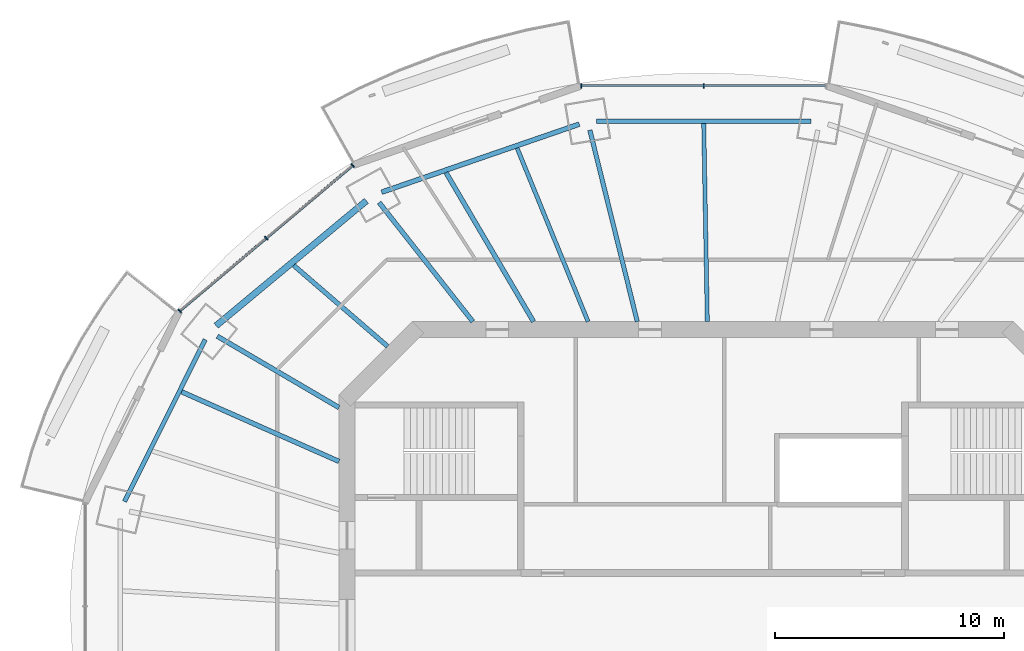
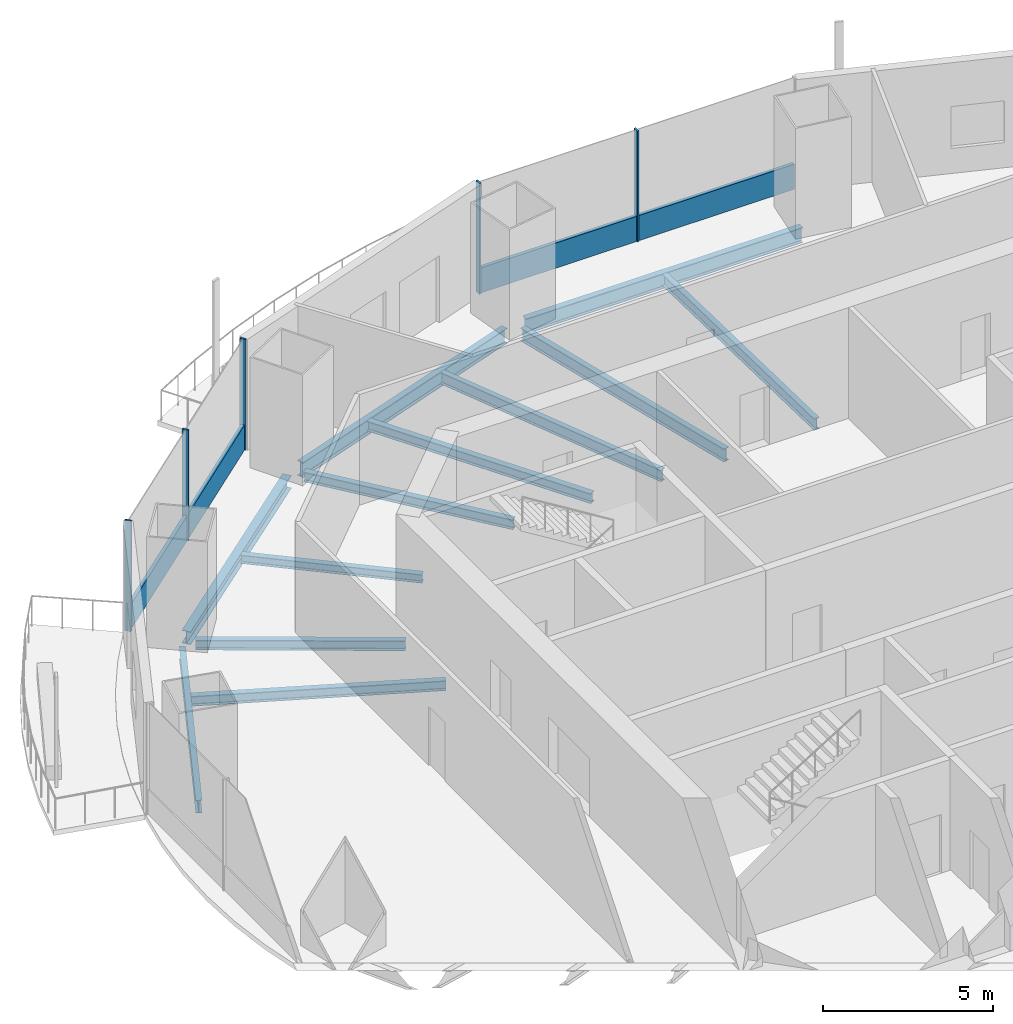
# One storey, part 5 of 16: 12 beams, 7 members, 2 elements without a shape of their own.
"""IFC4 building model written with IfcOpenShell, lengths in metres."""

from ifc_helpers import new_model, si_unit, direction, frame, origin, origin_2d, place, context, subcontext, project, spatial, rectangle, i_section, extrude, material, material_profile, profile_set, type_object, element, aggregate, save


model = new_model("IFC4")

# Units and contexts
model_context = context("Model", 3, precision=1e-05, world=origin(), true_north=direction((0.0, 1.0)))
body_context = subcontext(model_context, "Body", "Model", "MODEL_VIEW")
ifc_project = project(units=[si_unit("LENGTHUNIT", "METRE"), si_unit("AREAUNIT", "SQUARE_METRE"), si_unit("VOLUMEUNIT", "CUBIC_METRE"), si_unit("PLANEANGLEUNIT", "RADIAN"), si_unit("MASSUNIT", "GRAM", prefix="KILO")], contexts=[model_context])

# Site, building, storey
site_placement = place(None, origin())
site = spatial("IfcSite", under=ifc_project, at=site_placement, CompositionType="ELEMENT")
building_placement = place(site_placement, origin())
building = spatial("IfcBuilding", under=site, at=building_placement, Name="Marenthal Gate Tower", CompositionType="ELEMENT")
storey_placement = place(building_placement, frame((0.0, 0.0, 326.0)))
storey = spatial("IfcBuildingStorey", under=building, at=storey_placement, Name="L73", CompositionType="ELEMENT", Elevation=326.0)

# Curtain wall, members
ifc_material_1 = material(Name="Aluminium and glass", Category="aluminium")
curtain_wall_type = type_object("IfcCurtainWallType", Name="Curtain wall typical high", PredefinedType="NOTDEFINED", material=ifc_material_1)
curtain_wall_1_placement = place(storey_placement, origin())
curtain_wall_1 = element("IfcCurtainWall", 1, at=curtain_wall_1_placement, inside=storey, type_object=curtain_wall_type, Name="Curtain wall L73 bay 4", PredefinedType="NOTDEFINED")
ifc_material_2 = material(Name="Aluminium", Category="aluminium")
ifc_material_profile_1 = material_profile(ifc_material_2, rectangle(XDim=0.199951171875, YDim=0.06005859375, at=origin_2d()), Name="60x200 aluminium mullion")
ifc_profile_set_1 = profile_set([ifc_material_profile_1], Name="Aluminium")
member_type_1 = type_object("IfcMemberType", Name="Mullion 60x200 typical high", PredefinedType="MULLION", material=ifc_profile_set_1)
member_1_placement = place(storey_placement, frame((-0.39990234375, 23.6611328125, 0.0), z_axis=(0.0, 0.0, 1.0), x_axis=(0.0, -1.0, 0.0)))
member_1 = element("IfcMember", 2, at=member_1_placement, type_object=member_type_1, Name="Mullion L73 bay 4.2", PredefinedType="MULLION", context=body_context, shape_type="SweptSolid", body=[
    extrude(rectangle(XDim=0.199951171875, YDim=0.06005859375, at=origin_2d()), origin(), (0.0, 0.0, 1.0), 3.969970703125),
])
member_2_placement = place(storey_placement, frame((-5.7529296875, 23.6611328125, 0.0), z_axis=(0.0, 0.0, 1.0), x_axis=(0.0, -1.0, 0.0)))
member_2 = element("IfcMember", 3, at=member_2_placement, type_object=member_type_1, Name="Mullion L73 bay 4.3", PredefinedType="MULLION", context=body_context, shape_type="SweptSolid", body=[
    extrude(rectangle(XDim=0.199951171875, YDim=0.06005859375, at=origin_2d()), origin(), (0.0, 0.0, 1.0), 3.969970703125),
])

curtain_wall_2_placement = place(storey_placement, origin())
curtain_wall_2 = element("IfcCurtainWall", 4, at=curtain_wall_2_placement, inside=storey, type_object=curtain_wall_type, Name="Curtain wall L73 bay 6", PredefinedType="NOTDEFINED")
member_3_placement = place(storey_placement, frame((-15.752197265625, 20.176513671875, 0.0), z_axis=(0.0, 0.0, 1.0), x_axis=(0.643676220215, -0.76529793122, 0.0)))
member_3 = element("IfcMember", 5, at=member_3_placement, type_object=member_type_1, Name="Mullion L73 bay 6.1", PredefinedType="MULLION", context=body_context, shape_type="SweptSolid", body=[
    extrude(rectangle(XDim=0.199951171875, YDim=0.06005859375, at=origin_2d()), origin(), (0.0, 0.0, 1.0), 3.969970703125),
])
member_4_placement = place(storey_placement, frame((-19.53564453125, 16.99462890625, 0.0), z_axis=(0.0, 0.0, 1.0), x_axis=(0.643676220215, -0.76529793122, 0.0)))
member_4 = element("IfcMember", 6, at=member_4_placement, type_object=member_type_1, Name="Mullion L73 bay 6.2", PredefinedType="MULLION", context=body_context, shape_type="SweptSolid", body=[
    extrude(rectangle(XDim=0.199951171875, YDim=0.06005859375, at=origin_2d()), origin(), (0.0, 0.0, 1.0), 3.969970703125),
])
member_5_placement = place(storey_placement, frame((-23.31884765625, 13.8125, 0.0), z_axis=(0.0, 0.0, 1.0), x_axis=(0.643676220215, -0.76529793122, 0.0)))
member_5 = element("IfcMember", 7, at=member_5_placement, type_object=member_type_1, Name="Mullion L73 bay 6.3", PredefinedType="MULLION", context=body_context, shape_type="SweptSolid", body=[
    extrude(rectangle(XDim=0.199951171875, YDim=0.06005859375, at=origin_2d()), origin(), (0.0, 0.0, 1.0), 3.969970703125),
])

# Member
ifc_material_3 = material(Name="Aluminium", Category="aluminium")
ifc_material_profile_2 = material_profile(ifc_material_3, rectangle(XDim=0.1201171875, YDim=0.89990234375, at=origin_2d()), Name="120x900 aluminium transom")
ifc_profile_set_2 = profile_set([ifc_material_profile_2], Name="Aluminium")
member_type_2 = type_object("IfcMemberType", Name="Transom 120x900 typical high", PredefinedType="USERDEFINED", material=ifc_profile_set_2)
member_6_placement = place(storey_placement, frame((4.9228515625, 23.6611328125, 0.449951171875), z_axis=(-1.0, 0.0, 0.0), x_axis=(0.0, -1.0, 0.0)))
member_6 = element("IfcMember", 8, at=member_6_placement, type_object=member_type_2, Name="Transom L73 bay 4", ObjectType="TRANSOM", PredefinedType="USERDEFINED", context=body_context, shape_type="SweptSolid", body=[
    extrude(rectangle(XDim=0.1201171875, YDim=0.89990234375, at=origin_2d()), origin(), (0.0, 0.0, 1.0), 10.645751953125),
])

aggregate(curtain_wall_1, [member_1, member_2, member_6])

member_7_placement = place(storey_placement, frame((-15.775146484375, 20.1572265625, 0.449951171875), z_axis=(-0.765303397989, -0.643669720451, 0.0), x_axis=(0.643669720451, -0.765303397989, 0.0)))
member_7 = element("IfcMember", 9, at=member_7_placement, type_object=member_type_2, Name="Transom L73 bay 6", ObjectType="TRANSOM", PredefinedType="USERDEFINED", context=body_context, shape_type="SweptSolid", body=[
    extrude(rectangle(XDim=0.1201171875, YDim=0.89990234375, at=origin_2d()), origin(), (0.0, 0.0, 1.0), 9.8271484375),
])

aggregate(curtain_wall_2, [member_3, member_4, member_5, member_7])

# Beams
ifc_material_4 = material(Name="Steel S355", Category="steel")
ifc_material_profile_3 = material_profile(ifc_material_4, i_section(OverallWidth=0.202880859375, OverallDepth=0.302001953125, WebThickness=0.007568359375, FlangeThickness=0.01318359375, FilletRadius=0.0126953125, at=origin_2d()), Name="W310X60")
ifc_profile_set_3 = profile_set([ifc_material_profile_3], Name="Steel S355")
beam_type_1 = type_object("IfcBeamType", Name="W310X60 beam", PredefinedType="BEAM", material=ifc_profile_set_3)
beam_1_placement = place(storey_placement, frame((-18.332763671875, 15.806396484375, -0.3310546875), z_axis=(0.757361566937, -0.652995755673, 0.0), x_axis=(0.652995755673, 0.757361566937, 0.0)))
element("IfcBeam", 10, at=beam_1_placement, inside=storey, type_object=beam_type_1, Name="BM-L73-25", PredefinedType="BEAM", context=body_context, shape_type="SweptSolid", body=[
    extrude(i_section(OverallWidth=0.202880859375, OverallDepth=0.302001953125, WebThickness=0.007568359375, FlangeThickness=0.01318359375, FilletRadius=0.0126953125, at=origin_2d()), origin(), (0.0, 0.0, 1.0), 5.420166015625),
])
ifc_material_5 = material(Name="Steel S355", Category="steel")
ifc_material_profile_4 = material_profile(ifc_material_5, i_section(OverallWidth=0.205078125, OverallDepth=0.35302734375, WebThickness=0.009521484375, FlangeThickness=0.016845703125, FilletRadius=0.014892578125, at=origin_2d()), Name="W360X79")
ifc_profile_set_4 = profile_set([ifc_material_profile_4], Name="Steel S355")
beam_type_2 = type_object("IfcBeamType", Name="W360X79 beam", PredefinedType="BEAM", material=ifc_profile_set_4)
beam_2_placement = place(storey_placement, frame((-14.59716796875, 18.55859375, -0.3564453125), z_axis=(0.618244505553, -0.785985834067, 0.0), x_axis=(0.785985834067, 0.618244505553, 0.0)))
element("IfcBeam", 11, at=beam_2_placement, inside=storey, type_object=beam_type_2, Name="BM-L73-06", PredefinedType="BEAM", context=body_context, shape_type="SweptSolid", body=[
    extrude(i_section(OverallWidth=0.205078125, OverallDepth=0.35302734375, WebThickness=0.009521484375, FlangeThickness=0.016845703125, FilletRadius=0.014892578125, at=origin_2d()), origin(), (0.0, 0.0, 1.0), 6.626708984375),
])
beam_3_placement = place(storey_placement, frame((-21.6748046875, 12.7080078125, -0.3564453125), z_axis=(0.862666430461, -0.505773298776, 0.0), x_axis=(0.505773298776, 0.862666430461, 0.0)))
element("IfcBeam", 12, at=beam_3_placement, inside=storey, type_object=beam_type_2, Name="BM-L73-07", PredefinedType="BEAM", context=body_context, shape_type="SweptSolid", body=[
    extrude(i_section(OverallWidth=0.205078125, OverallDepth=0.35302734375, WebThickness=0.009521484375, FlangeThickness=0.016845703125, FilletRadius=0.014892578125, at=origin_2d()), origin(), (0.0, 0.0, 1.0), 6.17236328125),
])
beam_4_placement = place(storey_placement, frame((-11.671142578125, 19.865478515625, -0.3564453125), z_axis=(0.50655835561, -0.862205678688, 0.0), x_axis=(0.862205678688, 0.50655835561, 0.0)))
element("IfcBeam", 13, at=beam_4_placement, inside=storey, type_object=beam_type_2, Name="BM-L73-24", PredefinedType="BEAM", context=body_context, shape_type="SweptSolid", body=[
    extrude(i_section(OverallWidth=0.205078125, OverallDepth=0.35302734375, WebThickness=0.009521484375, FlangeThickness=0.016845703125, FilletRadius=0.014892578125, at=origin_2d()), origin(), (0.0, 0.0, 1.0), 7.556640625),
])
beam_5_placement = place(storey_placement, frame((-23.2353515625, 10.27783203125, -0.3564453125), z_axis=(0.914522879834, -0.404534179347, 0.0), x_axis=(0.404534179347, 0.914522879834, 0.0)))
element("IfcBeam", 14, at=beam_5_placement, inside=storey, type_object=beam_type_2, Name="BM-L73-26", PredefinedType="BEAM", context=body_context, shape_type="SweptSolid", body=[
    extrude(i_section(OverallWidth=0.205078125, OverallDepth=0.35302734375, WebThickness=0.009521484375, FlangeThickness=0.016845703125, FilletRadius=0.014892578125, at=origin_2d()), origin(), (0.0, 0.0, 1.0), 7.52880859375),
])
ifc_material_6 = material(Name="Steel S355", Category="steel")
ifc_material_profile_5 = material_profile(ifc_material_6, i_section(OverallWidth=0.180908203125, OverallDepth=0.4169921875, WebThickness=0.010986328125, FlangeThickness=0.018310546875, FilletRadius=0.01025390625, at=origin_2d()), Name="W410X85")
ifc_profile_set_5 = profile_set([ifc_material_profile_5], Name="Steel S355")
beam_type_3 = type_object("IfcBeamType", Name="W410X85 beam", PredefinedType="BEAM", material=ifc_profile_set_5)
beam_6_placement = place(storey_placement, frame((-0.398193359375, 22.00537109375, -0.388427734375), z_axis=(0.018106023879, -0.999836072514, 0.0), x_axis=(0.999836072514, 0.018106023879, 0.0)))
element("IfcBeam", 15, at=beam_6_placement, inside=storey, type_object=beam_type_3, Name="BM-L73-22", PredefinedType="BEAM", context=body_context, shape_type="SweptSolid", body=[
    extrude(i_section(OverallWidth=0.180908203125, OverallDepth=0.4169921875, WebThickness=0.010986328125, FlangeThickness=0.018310546875, FilletRadius=0.01025390625, at=origin_2d()), origin(), (0.0, 0.0, 1.0), 8.65673828125),
])
beam_7_placement = place(storey_placement, frame((-8.56005859375, 20.936767578125, -0.388427734375), z_axis=(0.378441463941, -0.925625225656, 0.0), x_axis=(0.925625225656, 0.378441463941, 0.0)))
element("IfcBeam", 16, at=beam_7_placement, inside=storey, type_object=beam_type_3, Name="BM-L73-23", PredefinedType="BEAM", context=body_context, shape_type="SweptSolid", body=[
    extrude(i_section(OverallWidth=0.180908203125, OverallDepth=0.4169921875, WebThickness=0.010986328125, FlangeThickness=0.018310546875, FilletRadius=0.01025390625, at=origin_2d()), origin(), (0.0, 0.0, 1.0), 8.1962890625),
])
ifc_material_7 = material(Name="Steel S355", Category="steel")
ifc_material_profile_6 = material_profile(ifc_material_7, i_section(OverallWidth=0.279052734375, OverallDepth=0.4619140625, WebThickness=0.0107421875, FlangeThickness=0.017333984375, FilletRadius=0.010009765625, at=origin_2d()), Name="W460X113")
ifc_profile_set_6 = profile_set([ifc_material_profile_6], Name="Steel S355")
beam_type_4 = type_object("IfcBeamType", Name="W460X113 beam", PredefinedType="BEAM", material=ifc_profile_set_6)
beam_8_placement = place(storey_placement, frame((-15.151611328125, 18.632568359375, -0.410888671875), z_axis=(-0.768960363439, -0.63929645663, 0.0), x_axis=(0.63929645663, -0.768960363439, 0.0)))
element("IfcBeam", 17, at=beam_8_placement, inside=storey, type_object=beam_type_4, Name="BM-L73-46", PredefinedType="BEAM", context=body_context, shape_type="SweptSolid", body=[
    extrude(i_section(OverallWidth=0.279052734375, OverallDepth=0.4619140625, WebThickness=0.0107421875, FlangeThickness=0.017333984375, FilletRadius=0.010009765625, at=origin_2d()), origin(), (0.0, 0.0, 1.0), 8.550048828125),
])
ifc_material_8 = material(Name="Steel S355", Category="steel")
ifc_material_profile_7 = material_profile(ifc_material_8, i_section(OverallWidth=0.19091796875, OverallDepth=0.45703125, WebThickness=0.009033203125, FlangeThickness=0.014404296875, FilletRadius=0.01025390625, at=origin_2d()), Name="W460X74")
ifc_profile_set_7 = profile_set([ifc_material_profile_7], Name="Steel S355")
beam_type_5 = type_object("IfcBeamType", Name="W460X74 beam", PredefinedType="BEAM", material=ifc_profile_set_7)
beam_9_placement = place(storey_placement, frame((-22.20458984375, 12.561279296875, -0.408447265625), z_axis=(-0.445917839927, -0.89507389641, 0.0), x_axis=(0.89507389641, -0.445917839927, 0.0)))
element("IfcBeam", 18, at=beam_9_placement, inside=storey, type_object=beam_type_5, Name="BM-L73-47", PredefinedType="BEAM", context=body_context, shape_type="SweptSolid", body=[
    extrude(i_section(OverallWidth=0.19091796875, OverallDepth=0.45703125, WebThickness=0.009033203125, FlangeThickness=0.014404296875, FilletRadius=0.01025390625, at=origin_2d()), origin(), (0.0, 0.0, 1.0), 7.916259765625),
])
ifc_material_9 = material(Name="Steel S355", Category="steel")
ifc_material_profile_8 = material_profile(ifc_material_9, i_section(OverallWidth=0.193115234375, OverallDepth=0.467041015625, WebThickness=0.011474609375, FlangeThickness=0.01904296875, FilletRadius=0.010009765625, at=origin_2d()), Name="W460X97")
ifc_profile_set_8 = profile_set([ifc_material_profile_8], Name="Steel S355")
beam_type_6 = type_object("IfcBeamType", Name="W460X97 beam", PredefinedType="BEAM", material=ifc_profile_set_8)
beam_10_placement = place(storey_placement, frame((-5.3779296875, 21.720458984375, -0.41357421875), z_axis=(0.240343299319, -0.970687951132, 0.0), x_axis=(0.970687951132, 0.240343299319, 0.0)))
element("IfcBeam", 19, at=beam_10_placement, inside=storey, type_object=beam_type_6, Name="BM-L73-05", PredefinedType="BEAM", context=body_context, shape_type="SweptSolid", body=[
    extrude(i_section(OverallWidth=0.193115234375, OverallDepth=0.467041015625, WebThickness=0.011474609375, FlangeThickness=0.01904296875, FilletRadius=0.010009765625, at=origin_2d()), origin(), (0.0, 0.0, 1.0), 8.623046875),
])
ifc_material_10 = material(Name="Steel S355", Category="steel")
ifc_material_profile_9 = material_profile(ifc_material_10, i_section(OverallWidth=0.2119140625, OverallDepth=0.5439453125, WebThickness=0.01318359375, FlangeThickness=0.021240234375, FilletRadius=0.0126953125, at=origin_2d()), Name="W530X123")
ifc_profile_set_9 = profile_set([ifc_material_profile_9], Name="Steel S355")
beam_type_7 = type_object("IfcBeamType", Name="W530X123 beam", PredefinedType="BEAM", material=ifc_profile_set_9)
beam_11_placement = place(storey_placement, frame((4.287841796875, 22.111328125, -0.451904296875), z_axis=(-1.0, 0.0, 0.0), x_axis=(0.0, -1.0, 0.0)))
element("IfcBeam", 20, at=beam_11_placement, inside=storey, type_object=beam_type_7, Name="BM-L73-44", PredefinedType="BEAM", context=body_context, shape_type="SweptSolid", body=[
    extrude(i_section(OverallWidth=0.2119140625, OverallDepth=0.5439453125, WebThickness=0.01318359375, FlangeThickness=0.021240234375, FilletRadius=0.0126953125, at=origin_2d()), origin(), (0.0, 0.0, 1.0), 9.375732421875),
])
beam_12_placement = place(storey_placement, frame((-5.841064453125, 21.985107421875, -0.451904296875), z_axis=(-0.945506586405, -0.325602971522, 0.0), x_axis=(0.325602971522, -0.945506586405, 0.0)))
element("IfcBeam", 21, at=beam_12_placement, inside=storey, type_object=beam_type_7, Name="BM-L73-45", PredefinedType="BEAM", context=body_context, shape_type="SweptSolid", body=[
    extrude(i_section(OverallWidth=0.2119140625, OverallDepth=0.5439453125, WebThickness=0.01318359375, FlangeThickness=0.021240234375, FilletRadius=0.0126953125, at=origin_2d()), origin(), (0.0, 0.0, 1.0), 9.140869140625),
])

save(model, "model.ifc")
